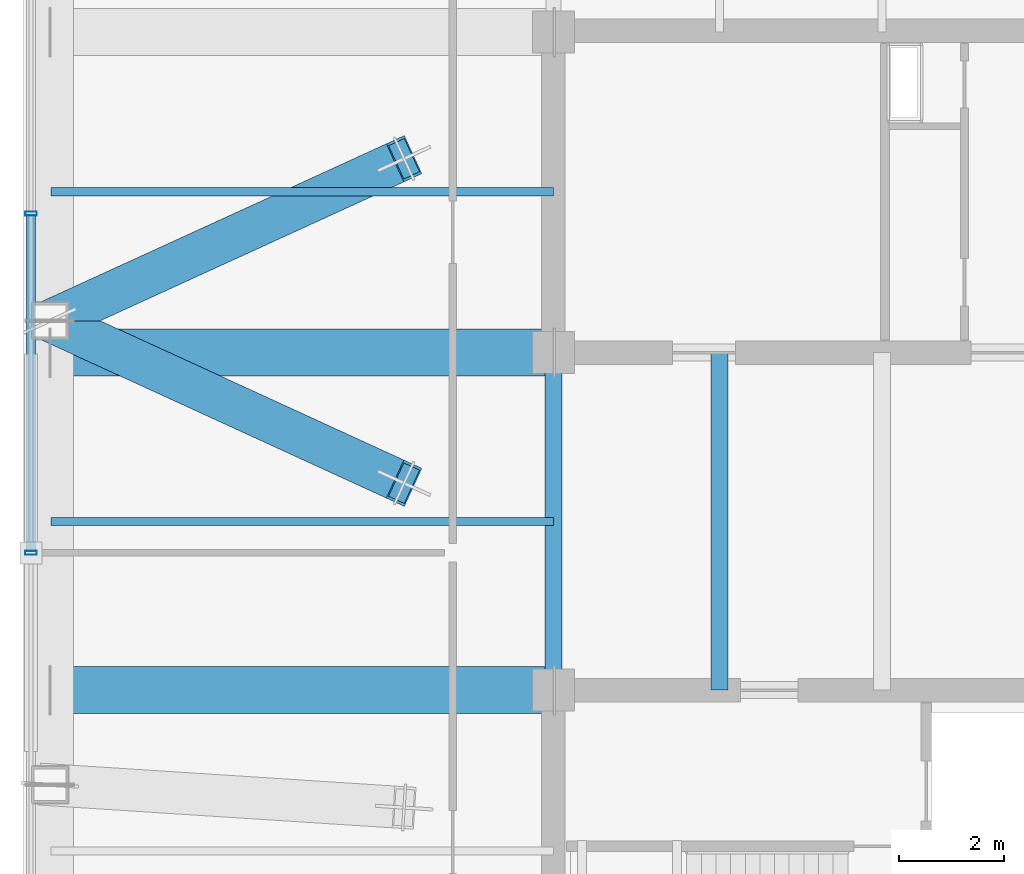
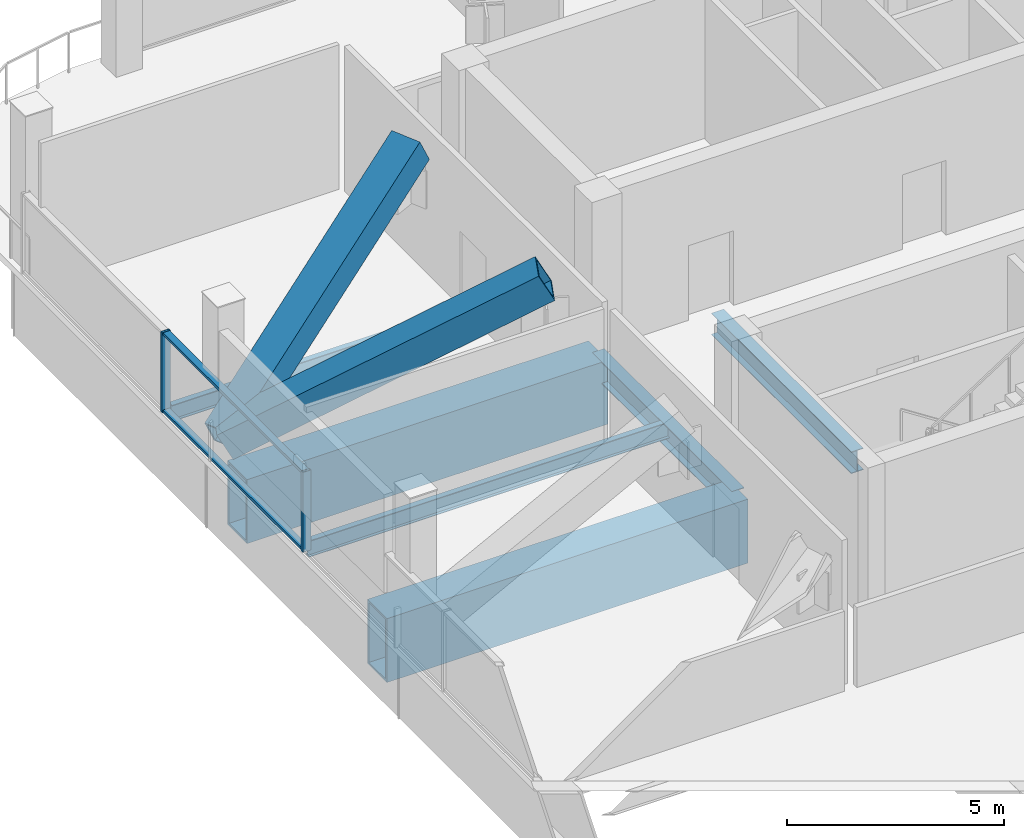
# One storey, part 6 of 19: 6 beams, 6 members, 1 element without a shape of its own.
"""IFC4 building model written with IfcOpenShell, lengths in metres."""

from ifc_helpers import new_model, si_unit, direction, frame, origin, origin_2d, place, context, subcontext, project, spatial, hollow_rectangle, i_section, extrude, material, layer, layer_set, material_profile, profile_set, type_object, element, aggregate, save


model = new_model("IFC4")

# Units and contexts
model_context = context("Model", 3, precision=1e-05, world=origin(), true_north=direction((0.0, 1.0)))
body_context = subcontext(model_context, "Body", "Model", "MODEL_VIEW")
ifc_project = project(units=[si_unit("LENGTHUNIT", "METRE"), si_unit("AREAUNIT", "SQUARE_METRE"), si_unit("VOLUMEUNIT", "CUBIC_METRE"), si_unit("PLANEANGLEUNIT", "RADIAN"), si_unit("MASSUNIT", "GRAM", prefix="KILO")], contexts=[model_context])

# Site, building, storey
site_placement = place(None, origin())
site = spatial("IfcSite", under=ifc_project, at=site_placement, CompositionType="ELEMENT")
building_placement = place(site_placement, origin())
building = spatial("IfcBuilding", under=site, at=building_placement, Name="Qhalaya Broadcast Tower", CompositionType="ELEMENT")
storey_placement = place(building_placement, frame((0.0, 0.0, 226.949951171875)))
storey = spatial("IfcBuildingStorey", under=building, at=storey_placement, Name="L67", CompositionType="ELEMENT", Elevation=226.949951171875)

# Beams
ifc_material_1 = material(Name="Structural Steel ASTM A572 Grade 50", Category="steel")
ifc_material_profile_1 = material_profile(ifc_material_1, hollow_rectangle(XDim=0.89990234375, YDim=1.800048828125, WallThickness=0.06005859375, at=origin_2d()), Name="BOX 900x1800x60")
ifc_profile_set_1 = profile_set([ifc_material_profile_1], Name="Structural Steel ASTM A572 Grade 50")
beam_type_1 = type_object("IfcBeamType", Name="Block Cantilever Transfer Box Girder TG1", PredefinedType="USERDEFINED", material=ifc_profile_set_1)
for number, where, z_axis, x_axis, name in (
    (1, (-18.97998046875, -2.625, -1.08984375), (1.0, 0.0, 0.0), (0.0, 1.0, 0.0), "L67 TG1 L67-PGYW2-1"),
    (2, (-18.97998046875, 3.824951171875, -1.08984375), (1.0, 0.0, 0.0), (0.0, 1.0, 0.0), "L67 TG1 L67-PGYW3-1"),
):
    element("IfcBeam", number, at=place(storey_placement, frame(where, z_axis=z_axis, x_axis=x_axis)), inside=storey, type_object=beam_type_1, Name=name, ObjectType="GIRDER", PredefinedType="USERDEFINED", context=body_context, shape_type="SweptSolid", body=[
        extrude(hollow_rectangle(XDim=0.89990234375, YDim=1.800048828125, WallThickness=0.06005859375, at=origin_2d()), origin(), (0.0, 0.0, 1.0), 9.60498046875),
    ])
ifc_material_2 = material(Name="Structural Steel ASTM A992 Grade 50", Category="steel")
ifc_material_profile_2 = material_profile(ifc_material_2, i_section(OverallWidth=0.154052734375, OverallDepth=0.458984375, WebThickness=0.009033203125, FlangeThickness=0.015380859375, at=origin_2d()), Name="W18X46")
ifc_profile_set_2 = profile_set([ifc_material_profile_2], Name="Structural Steel ASTM A992 Grade 50")
beam_type_2 = type_object("IfcBeamType", Name="Composite Floor Joist J04", PredefinedType="JOIST", material=ifc_profile_set_2)
for number, where, z_axis, x_axis, name in (
    (3, (-18.97998046875, 0.60009765625, -0.41943359375), (1.0, 0.0, 0.0), (0.0, 1.0, 0.0), "L67 J04 L67-JWE4W-1"),
    (4, (-18.97998046875, 6.89990234375, -0.41943359375), (1.0, 0.0, 0.0), (0.0, 1.0, 0.0), "L67 J04 L67-JWE5W-1"),
):
    element("IfcBeam", number, at=place(storey_placement, frame(where, z_axis=z_axis, x_axis=x_axis)), inside=storey, type_object=beam_type_2, Name=name, PredefinedType="JOIST", context=body_context, shape_type="SweptSolid", body=[
        extrude(i_section(OverallWidth=0.154052734375, OverallDepth=0.458984375, WebThickness=0.009033203125, FlangeThickness=0.015380859375, at=origin_2d()), origin(), (0.0, 0.0, 1.0), 9.60498046875),
    ])
ifc_material_profile_3 = material_profile(ifc_material_2, i_section(OverallWidth=0.323974609375, OverallDepth=0.612060546875, WebThickness=0.0126953125, FlangeThickness=0.01904296875, at=origin_2d()), Name="W24X104")
ifc_profile_set_3 = profile_set([ifc_material_profile_3], Name="Structural Steel ASTM A992 Grade 50")
beam_type_3 = type_object("IfcBeamType", Name="Core Frame Tie Beam B04", PredefinedType="BEAM", material=ifc_profile_set_3)
for number, where, z_axis, x_axis, name in (
    (5, (-9.375, -2.625, -0.495849609375), (0.0, 1.0, 0.0), (-1.0, 0.0, 0.0), "L67 B04 L67-CCW"),
    (6, (-6.199951171875, -2.625, -0.495849609375), (0.0, 1.0, 0.0), (-1.0, 0.0, 0.0), "L67 B04 L67-JC1-1"),
):
    element("IfcBeam", number, at=place(storey_placement, frame(where, z_axis=z_axis, x_axis=x_axis)), inside=storey, type_object=beam_type_3, Name=name, PredefinedType="BEAM", context=body_context, shape_type="SweptSolid", body=[
        extrude(i_section(OverallWidth=0.323974609375, OverallDepth=0.612060546875, WebThickness=0.0126953125, FlangeThickness=0.01904296875, at=origin_2d()), origin(), (0.0, 0.0, 1.0), 6.449951171875),
    ])

# Curtain wall, members
ifc_material_3 = material(Name="Fired Architectural Terracotta", Category="masonry")
ifc_layer = layer(ifc_material_3, 0.219970703125, Name="Fired Architectural Terracotta")
ifc_layer_set = layer_set([ifc_layer], Name="Fired Architectural Terracotta")
curtain_wall_type = type_object("IfcCurtainWallType", Name="Block-Cap Unitised Terracotta Spandrel Wall CW-07", PredefinedType="NOTDEFINED", material=ifc_layer_set)
curtain_wall_placement = place(storey_placement, origin())
curtain_wall = element("IfcCurtainWall", 7, at=curtain_wall_placement, inside=storey, type_object=curtain_wall_type, Name="L67 Unitised Curtain Wall L67-CW-W", PredefinedType="NOTDEFINED")
ifc_material_4 = material(Name="Anodised Aluminium 6063-T6", Category="aluminium")
ifc_material_profile_4 = material_profile(ifc_material_4, hollow_rectangle(XDim=0.074951171875, YDim=0.219970703125, WallThickness=0.00390625, at=origin_2d()), Name="ALU-MUL 75x220x4")
ifc_profile_set_4 = profile_set([ifc_material_profile_4], Name="Anodised Aluminium 6063-T6")
member_type_1 = type_object("IfcMemberType", Name="Unitised Curtain-Wall Mullion M01", PredefinedType="MULLION", material=ifc_profile_set_4)
member_1_placement = place(storey_placement, frame((-19.360107421875, 0.0, 0.0), z_axis=(0.0, 0.0, 1.0), x_axis=(0.0, 1.0, 0.0)))
member_1 = element("IfcMember", 8, at=member_1_placement, type_object=member_type_1, Name="CW-07 mullion 3", PredefinedType="MULLION", context=body_context, shape_type="SweptSolid", body=[
    extrude(hollow_rectangle(XDim=0.074951171875, YDim=0.219970703125, WallThickness=0.00390625, at=origin_2d()), origin(), (0.0, 0.0, 1.0), 2.25),
])
member_2_placement = place(storey_placement, frame((-19.360107421875, 6.48095703125, 0.0), z_axis=(0.0, 0.0, 1.0), x_axis=(0.0, 1.0, 0.0)))
member_2 = element("IfcMember", 9, at=member_2_placement, type_object=member_type_1, Name="CW-07 mullion 4", PredefinedType="MULLION", context=body_context, shape_type="SweptSolid", body=[
    extrude(hollow_rectangle(XDim=0.074951171875, YDim=0.219970703125, WallThickness=0.00390625, at=origin_2d()), origin(), (0.0, 0.0, 1.0), 2.25),
])
ifc_material_profile_5 = material_profile(ifc_material_4, hollow_rectangle(XDim=0.074951171875, YDim=0.179931640625, WallThickness=0.00390625, at=origin_2d()), Name="ALU-TRN 75x180x4")
ifc_profile_set_5 = profile_set([ifc_material_profile_5], Name="Anodised Aluminium 6063-T6")
member_type_2 = type_object("IfcMemberType", Name="Unitised Curtain-Wall Transom T01", PredefinedType="USERDEFINED", material=ifc_profile_set_5)
member_3_placement = place(storey_placement, frame((-19.360107421875, 0.03759765625, 0.03759765625), z_axis=(0.0, 1.0, 0.0), x_axis=(0.0, 0.0, 1.0)))
member_3 = element("IfcMember", 10, at=member_3_placement, type_object=member_type_2, Name="CW-07 transom 3.1", ObjectType="TRANSOM", PredefinedType="USERDEFINED", context=body_context, shape_type="SweptSolid", body=[
    extrude(hollow_rectangle(XDim=0.074951171875, YDim=0.179931640625, WallThickness=0.00390625, at=origin_2d()), origin(), (0.0, 0.0, 1.0), 6.406005859375),
])
member_4_placement = place(storey_placement, frame((-19.360107421875, 0.03759765625, 2.212646484375), z_axis=(0.0, 1.0, 0.0), x_axis=(0.0, 0.0, 1.0)))
member_4 = element("IfcMember", 11, at=member_4_placement, type_object=member_type_2, Name="CW-07 transom 3.2", ObjectType="TRANSOM", PredefinedType="USERDEFINED", context=body_context, shape_type="SweptSolid", body=[
    extrude(hollow_rectangle(XDim=0.074951171875, YDim=0.179931640625, WallThickness=0.00390625, at=origin_2d()), origin(), (0.0, 0.0, 1.0), 6.406005859375),
])
aggregate(curtain_wall, [member_1, member_2, member_3, member_4])

# Members
ifc_material_profile_6 = material_profile(ifc_material_1, hollow_rectangle(XDim=0.800048828125, YDim=0.800048828125, WallThickness=0.050048828125, at=origin_2d()), Name="BOX 800x800x50")
ifc_profile_set_6 = profile_set([ifc_material_profile_6], Name="Structural Steel ASTM A572 Grade 50")
member_type_3 = type_object("IfcMemberType", Name="Upper Exoskeleton Transfer Strut RK2", PredefinedType="BRACE", material=ifc_profile_set_6)
member_5_placement = place(storey_placement, frame((-19.0, 4.433349609375, 0.362548828125), z_axis=(0.801631379036, 0.36667480749, 0.472161749506), x_axis=(-0.415961253742, 0.909382337296, 0.0)))
element("IfcMember", 12, at=member_5_placement, inside=storey, type_object=member_type_3, Name="L67 Inclined Exoskeleton Transfer Strut 13", PredefinedType="BRACE", context=body_context, shape_type="SweptSolid", body=[
    extrude(hollow_rectangle(XDim=0.800048828125, YDim=0.800048828125, WallThickness=0.050048828125, at=origin_2d()), origin(), (0.0, 0.0, 1.0), 8.4453125),
])
member_6_placement = place(storey_placement, frame((-19.0, 4.433349609375, 0.362548828125), z_axis=(0.80140180658, -0.367350103261, 0.472026531081), x_axis=(0.416693089149, 0.909047231697, 0.0)))
element("IfcMember", 13, at=member_6_placement, inside=storey, type_object=member_type_3, Name="L67 Inclined Exoskeleton Transfer Strut 14", PredefinedType="BRACE", context=body_context, shape_type="SweptSolid", body=[
    extrude(hollow_rectangle(XDim=0.800048828125, YDim=0.800048828125, WallThickness=0.050048828125, at=origin_2d()), origin(), (0.0, 0.0, 1.0), 8.44775390625),
])

save(model, "model.ifc")
